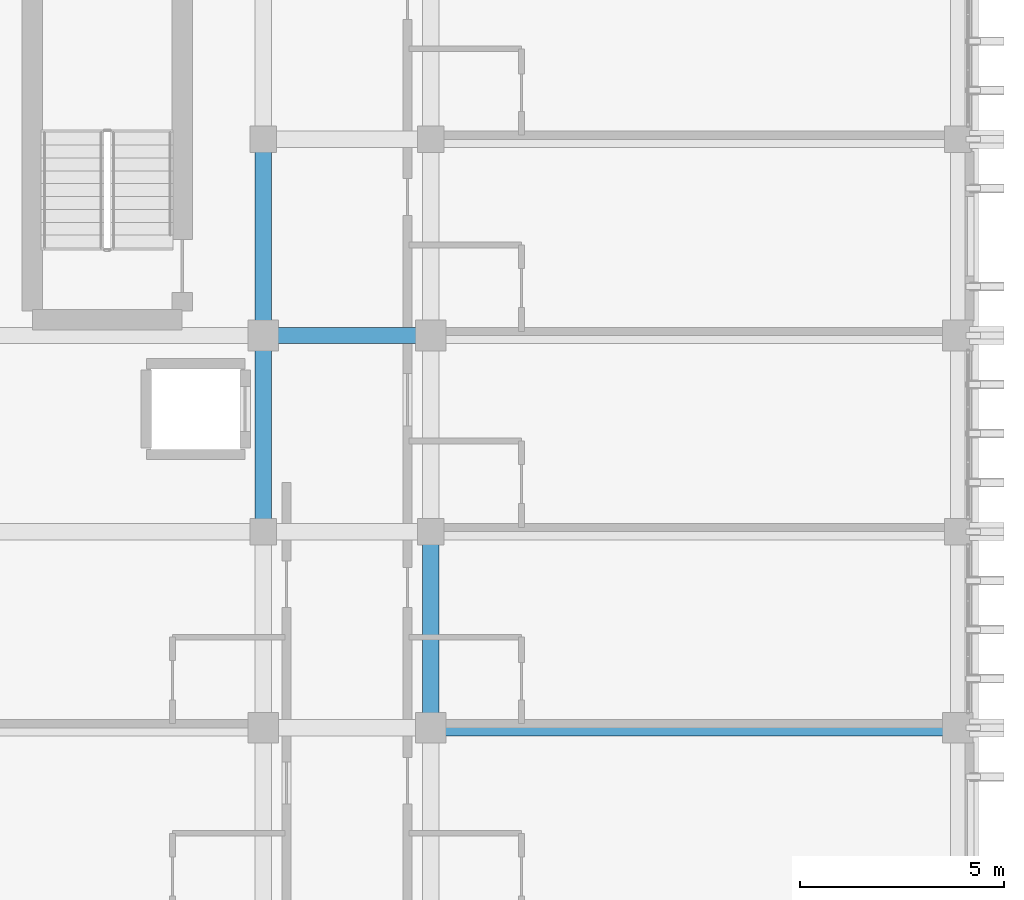
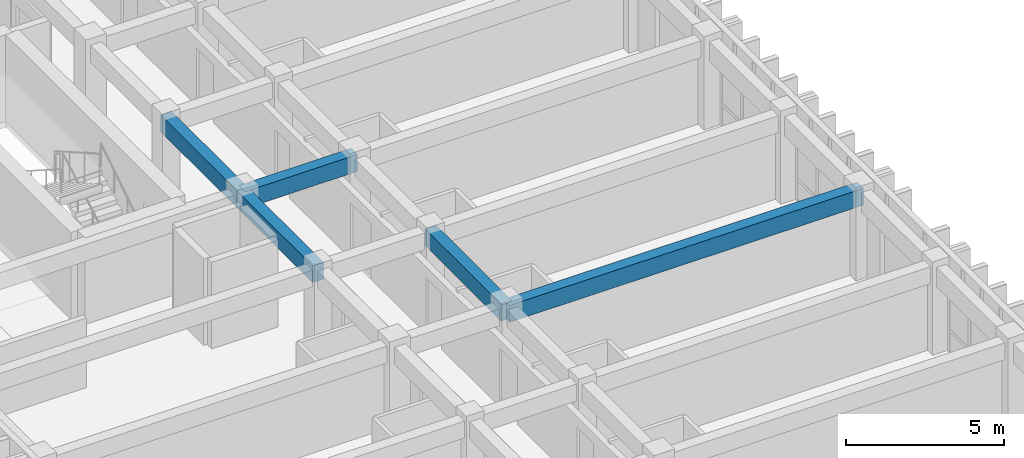
# One storey, part 21 of 64: 5 beams.
"""IFC4 building model written with IfcOpenShell, lengths in metres."""

from ifc_helpers import new_model, si_unit, direction, frame, origin, origin_2d, place, context, subcontext, project, spatial, rectangle, extrude, material, material_profile, profile_set, type_object, element, save


model = new_model("IFC4")

# Units and contexts
model_context = context("Model", 3, precision=1e-05, world=origin(), true_north=direction((0.0, 1.0)))
body_context = subcontext(model_context, "Body", "Model", "MODEL_VIEW")
ifc_project = project(units=[si_unit("LENGTHUNIT", "METRE"), si_unit("AREAUNIT", "SQUARE_METRE"), si_unit("VOLUMEUNIT", "CUBIC_METRE"), si_unit("PLANEANGLEUNIT", "RADIAN"), si_unit("MASSUNIT", "GRAM", prefix="KILO")], contexts=[model_context])

# Site, building, storey
site_placement = place(None, origin())
site = spatial("IfcSite", under=ifc_project, at=site_placement, CompositionType="ELEMENT")
building_placement = place(site_placement, origin())
building = spatial("IfcBuilding", under=site, at=building_placement, Name="Nakhvara Creek Congress Hotel", CompositionType="ELEMENT")
storey_placement = place(building_placement, frame((0.0, 0.0, 28.199951171875)))
storey = spatial("IfcBuildingStorey", under=building, at=storey_placement, Name="L06", CompositionType="ELEMENT", Elevation=28.199951171875)

# Beams
ifc_material = material(Name="Concrete C40/50", Category="concrete")
ifc_material_profile = material_profile(ifc_material, rectangle(XDim=0.39990234375, YDim=0.64990234375, at=origin_2d()), Name="RC-BM 400x650", Category="LoadBearing")
ifc_profile_set = profile_set([ifc_material_profile], Name="Concrete C40/50")
beam_type = type_object("IfcBeamType", Name="BM-RC-400X650", PredefinedType="BEAM", material=ifc_profile_set)
beam_1_placement = place(storey_placement, frame((162.35009765625, 76.800048828125, 3.01513671875), z_axis=(1.0, 0.0, 0.0), x_axis=(0.0, 1.0, 0.0)))
element("IfcBeam", 1, at=beam_1_placement, inside=storey, type_object=beam_type, Name="Beam B06-L06-2230", PredefinedType="BEAM", context=body_context, shape_type="SweptSolid", body=[
    extrude(rectangle(XDim=0.39990234375, YDim=0.64990234375, at=origin_2d()), origin(), (0.0, 0.0, 1.0), 4.099853515625),
])
for number, where, z_axis, x_axis, name in (
    (2, (162.35009765625, 72.0, 3.01513671875), (0.0, 1.0, 0.0), (-1.0, 0.0, 0.0), "Beam B06-L06-2231"),
    (3, (162.35009765625, 76.800048828125, 3.01513671875), (0.0, 1.0, 0.0), (-1.0, 0.0, 0.0), "Beam B06-L06-2232"),
):
    element("IfcBeam", number, at=place(storey_placement, frame(where, z_axis=z_axis, x_axis=x_axis)), inside=storey, type_object=beam_type, Name=name, PredefinedType="BEAM", context=body_context, shape_type="SweptSolid", body=[
        extrude(rectangle(XDim=0.39990234375, YDim=0.64990234375, at=origin_2d()), origin(), (0.0, 0.0, 1.0), 4.800048828125),
    ])
beam_2_placement = place(storey_placement, frame((166.449951171875, 67.199951171875, 3.01513671875), z_axis=(1.0, 0.0, 0.0), x_axis=(0.0, 1.0, 0.0)))
element("IfcBeam", 4, at=beam_2_placement, inside=storey, type_object=beam_type, Name="Beam B06-L06-2255", PredefinedType="BEAM", context=body_context, shape_type="SweptSolid", body=[
    extrude(rectangle(XDim=0.39990234375, YDim=0.64990234375, at=origin_2d()), origin(), (0.0, 0.0, 1.0), 12.900146484375),
])
beam_3_placement = place(storey_placement, frame((166.449951171875, 67.199951171875, 3.01513671875), z_axis=(0.0, 1.0, 0.0), x_axis=(-1.0, 0.0, 0.0)))
element("IfcBeam", 5, at=beam_3_placement, inside=storey, type_object=beam_type, Name="Beam B06-L06-2257", PredefinedType="BEAM", context=body_context, shape_type="SweptSolid", body=[
    extrude(rectangle(XDim=0.39990234375, YDim=0.64990234375, at=origin_2d()), origin(), (0.0, 0.0, 1.0), 4.800048828125),
])

save(model, "model.ifc")
